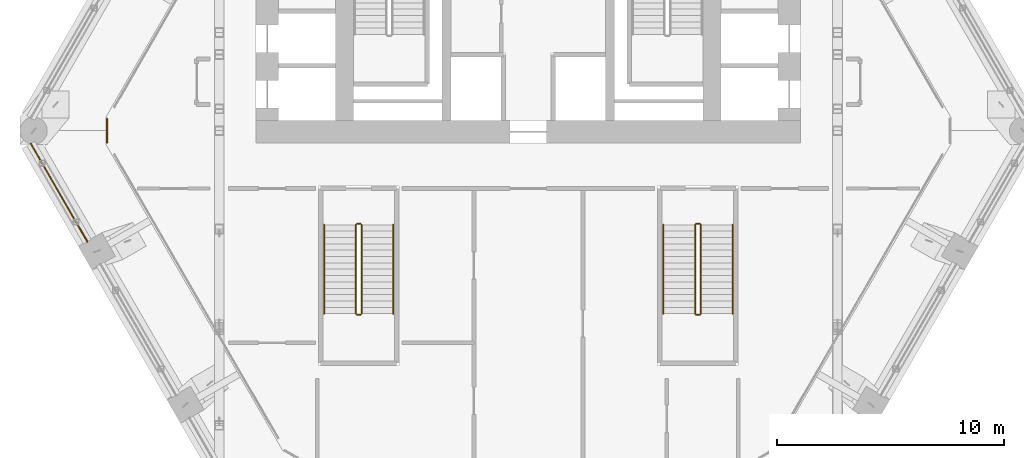
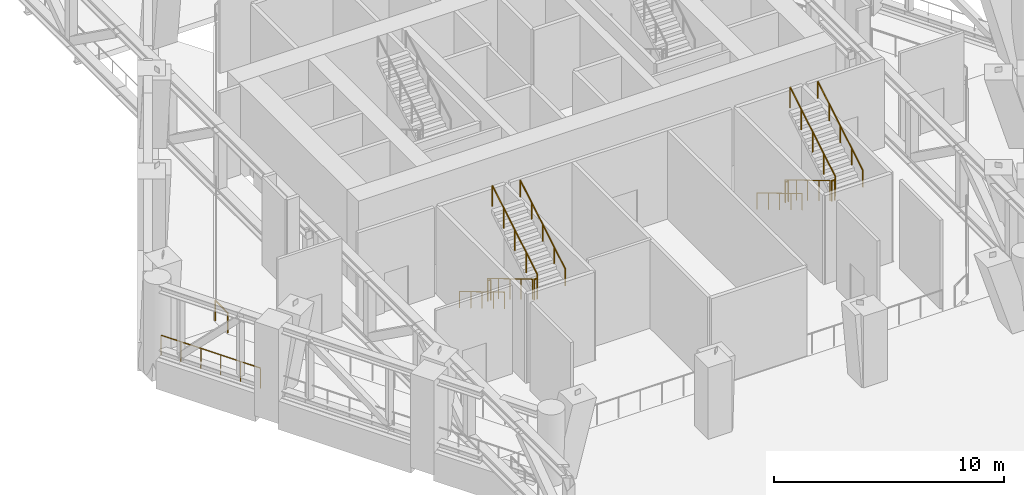
# One storey, part 19 of 22: 14 railings.
"""IFC4 building model written with IfcOpenShell, lengths in metres."""

from ifc_helpers import new_model, si_unit, direction, frame, origin, origin_2d, place, context, subcontext, project, spatial, circle, extrude, material, type_object, element, save


model = new_model("IFC4")

# Units and contexts
model_context = context("Model", 3, precision=1e-05, world=origin(), true_north=direction((0.0, 1.0)))
body_context = subcontext(model_context, "Body", "Model", "MODEL_VIEW")
ifc_project = project(units=[si_unit("LENGTHUNIT", "METRE"), si_unit("AREAUNIT", "SQUARE_METRE"), si_unit("VOLUMEUNIT", "CUBIC_METRE"), si_unit("PLANEANGLEUNIT", "RADIAN"), si_unit("MASSUNIT", "GRAM", prefix="KILO")], contexts=[model_context])

# Site, building, storey
site_placement = place(None, origin())
site = spatial("IfcSite", under=ifc_project, at=site_placement, CompositionType="ELEMENT")
building_placement = place(site_placement, origin())
building = spatial("IfcBuilding", under=site, at=building_placement, Name="Ostrander Bayou Hotel Tower", CompositionType="ELEMENT")
storey_placement = place(building_placement, frame((0.0, 0.0, 146.0)))
storey = spatial("IfcBuildingStorey", under=building, at=storey_placement, Name="L36", CompositionType="ELEMENT", Elevation=146.0)

# Railings
ifc_material_1 = material(Name="Stainless steel and clear glass", Category="steel")
railing_type_1 = type_object("IfcRailingType", Name="GR1 guard 1100 mm", PredefinedType="GUARDRAIL", material=ifc_material_1)
railing_1_placement = place(storey_placement, frame((-21.927734375, -1.72021484375, 0.0)))
element("IfcRailing", 1, at=railing_1_placement, inside=storey, type_object=railing_type_1, Name="GR1 L36 SW-1 open band guard", PredefinedType="GUARDRAIL", context=body_context, shape_type="SweptSolid", body=[
    extrude(circle(Radius=0.02490234375, at=origin_2d()), frame((0.0, 0.0, 1.0751953125), z_axis=(0.500011423449, -0.866018808352, 0.0), x_axis=(0.866018808352, 0.500011423449, 0.0)), (0.0, 0.0, 1.0), 4.99755859375),
    extrude(circle(Radius=0.02001953125, at=origin_2d()), origin(), (0.0, 0.0, 1.0), 1.050048828125),
    extrude(circle(Radius=0.02001953125, at=origin_2d()), frame((0.499755859375, -0.865478515625, 0.0)), (0.0, 0.0, 1.0), 1.050048828125),
    extrude(circle(Radius=0.02001953125, at=origin_2d()), frame((0.99951171875, -1.731201171875, 0.0)), (0.0, 0.0, 1.0), 1.050048828125),
    extrude(circle(Radius=0.02001953125, at=origin_2d()), frame((1.499267578125, -2.5966796875, 0.0)), (0.0, 0.0, 1.0), 1.050048828125),
    extrude(circle(Radius=0.02001953125, at=origin_2d()), frame((1.9990234375, -3.46240234375, 0.0)), (0.0, 0.0, 1.0), 1.050048828125),
    extrude(circle(Radius=0.02001953125, at=origin_2d()), frame((2.498779296875, -4.327880859375, 0.0)), (0.0, 0.0, 1.0), 1.050048828125),
])
railing_2_placement = place(storey_placement, frame((-18.568115234375, -0.6240234375, 0.0)))
element("IfcRailing", 2, at=railing_2_placement, inside=storey, type_object=railing_type_1, Name="GR1 L36 corner guard 2", PredefinedType="GUARDRAIL", context=body_context, shape_type="SweptSolid", body=[
    extrude(circle(Radius=0.02490234375, at=origin_2d()), frame((0.0, 0.0, 1.0751953125), z_axis=(0.0, -1.0, 0.0), x_axis=(1.0, 0.0, 0.0)), (0.0, 0.0, 1.0), 1.06494140625),
    extrude(circle(Radius=0.02001953125, at=origin_2d()), origin(), (0.0, 0.0, 1.0), 1.050048828125),
    extrude(circle(Radius=0.02001953125, at=origin_2d()), frame((0.0, -1.06494140625, 0.0)), (0.0, 0.0, 1.0), 1.050048828125),
])
ifc_material_2 = material(Name="Steel ASTM A500 Gr C", Category="steel")
railing_type_2 = type_object("IfcRailingType", Name="GR1 stair guard 1100 mm steel", PredefinedType="GUARDRAIL", material=ifc_material_2)
railing_3_placement = place(storey_placement, frame((7.35009765625, -5.300048828125, 0.166748046875)))
element("IfcRailing", 3, at=railing_3_placement, inside=storey, type_object=railing_type_2, Name="L36 STC stair guard 1", PredefinedType="GUARDRAIL", context=body_context, shape_type="SweptSolid", body=[
    extrude(circle(Radius=0.02392578125, at=origin_2d()), frame((0.0, 0.0, 1.076171875), z_axis=(0.0, -0.859296244711, 0.511478214419), x_axis=(1.0, 0.0, 0.0)), (0.0, 0.0, 1.0), 4.561767578125),
    extrude(circle(Radius=0.02099609375, at=origin_2d()), origin(), (0.0, 0.0, 1.0), 1.052001953125),
    extrude(circle(Radius=0.02099609375, at=origin_2d()), frame((0.0, -0.97998046875, 0.583251953125)), (0.0, 0.0, 1.0), 1.052001953125),
    extrude(circle(Radius=0.02099609375, at=origin_2d()), frame((0.0, -1.9599609375, 1.16650390625)), (0.0, 0.0, 1.0), 1.052001953125),
    extrude(circle(Radius=0.02099609375, at=origin_2d()), frame((0.0, -2.93994140625, 1.75)), (0.0, 0.0, 1.0), 1.052001953125),
    extrude(circle(Radius=0.02099609375, at=origin_2d()), frame((0.0, -3.919921875, 2.333251953125)), (0.0, 0.0, 1.0), 1.052001953125),
])
railing_4_placement = place(storey_placement, frame((7.39990234375, -9.27001953125, 2.5)))
element("IfcRailing", 4, at=railing_4_placement, inside=storey, type_object=railing_type_2, Name="L36 STC stair guard 2", PredefinedType="GUARDRAIL", context=body_context, shape_type="SweptSolid", body=[
    extrude(circle(Radius=0.02392578125, at=origin_2d()), frame((0.0, 0.0, 1.076171875), z_axis=(1.0, 0.0, 0.0), x_axis=(0.0, 1.0, 0.0)), (0.0, 0.0, 1.0), 0.150146484375),
    extrude(circle(Radius=0.02099609375, at=origin_2d()), origin(), (0.0, 0.0, 1.0), 1.052001953125),
    extrude(circle(Radius=0.02099609375, at=origin_2d()), frame((0.150146484375, 0.0, 0.0)), (0.0, 0.0, 1.0), 1.052001953125),
])
railing_5_placement = place(storey_placement, frame((7.60009765625, -9.219970703125, 2.666748046875)))
element("IfcRailing", 5, at=railing_5_placement, inside=storey, type_object=railing_type_2, Name="L36 STC stair guard 3", PredefinedType="GUARDRAIL", context=body_context, shape_type="SweptSolid", body=[
    extrude(circle(Radius=0.02392578125, at=origin_2d()), frame((0.0, 0.0, 1.076171875), z_axis=(0.0, 0.859296244711, 0.511478214419), x_axis=(-1.0, 0.0, 0.0)), (0.0, 0.0, 1.0), 4.561767578125),
    extrude(circle(Radius=0.02099609375, at=origin_2d()), origin(), (0.0, 0.0, 1.0), 1.052001953125),
    extrude(circle(Radius=0.02099609375, at=origin_2d()), frame((0.0, 0.97998046875, 0.583251953125)), (0.0, 0.0, 1.0), 1.052001953125),
    extrude(circle(Radius=0.02099609375, at=origin_2d()), frame((0.0, 1.9599609375, 1.16650390625)), (0.0, 0.0, 1.0), 1.052001953125),
    extrude(circle(Radius=0.02099609375, at=origin_2d()), frame((0.0, 2.93994140625, 1.75)), (0.0, 0.0, 1.0), 1.052001953125),
    extrude(circle(Radius=0.02099609375, at=origin_2d()), frame((0.0, 3.919921875, 2.333251953125)), (0.0, 0.0, 1.0), 1.052001953125),
])
railing_6_placement = place(storey_placement, frame((7.39990234375, -5.25, 0.0)))
element("IfcRailing", 6, at=railing_6_placement, inside=storey, type_object=railing_type_2, Name="L36 STC stair guard 4", PredefinedType="GUARDRAIL", context=body_context, shape_type="SweptSolid", body=[
    extrude(circle(Radius=0.02392578125, at=origin_2d()), frame((0.0, 0.0, 1.076171875), z_axis=(1.0, 0.0, 0.0), x_axis=(0.0, 1.0, 0.0)), (0.0, 0.0, 1.0), 0.150146484375),
    extrude(circle(Radius=0.02099609375, at=origin_2d()), origin(), (0.0, 0.0, 1.0), 1.052001953125),
    extrude(circle(Radius=0.02099609375, at=origin_2d()), frame((0.150146484375, 0.0, 0.0)), (0.0, 0.0, 1.0), 1.052001953125),
])
railing_7_placement = place(storey_placement, frame((-7.60009765625, -5.300048828125, 0.166748046875)))
element("IfcRailing", 7, at=railing_7_placement, inside=storey, type_object=railing_type_2, Name="L36 STD stair guard 1", PredefinedType="GUARDRAIL", context=body_context, shape_type="SweptSolid", body=[
    extrude(circle(Radius=0.02392578125, at=origin_2d()), frame((0.0, 0.0, 1.076171875), z_axis=(0.0, -0.859296244711, 0.511478214419), x_axis=(1.0, 0.0, 0.0)), (0.0, 0.0, 1.0), 4.561767578125),
    extrude(circle(Radius=0.02099609375, at=origin_2d()), origin(), (0.0, 0.0, 1.0), 1.052001953125),
    extrude(circle(Radius=0.02099609375, at=origin_2d()), frame((0.0, -0.97998046875, 0.583251953125)), (0.0, 0.0, 1.0), 1.052001953125),
    extrude(circle(Radius=0.02099609375, at=origin_2d()), frame((0.0, -1.9599609375, 1.16650390625)), (0.0, 0.0, 1.0), 1.052001953125),
    extrude(circle(Radius=0.02099609375, at=origin_2d()), frame((0.0, -2.93994140625, 1.75)), (0.0, 0.0, 1.0), 1.052001953125),
    extrude(circle(Radius=0.02099609375, at=origin_2d()), frame((0.0, -3.919921875, 2.333251953125)), (0.0, 0.0, 1.0), 1.052001953125),
])
railing_8_placement = place(storey_placement, frame((-7.550048828125, -9.27001953125, 2.5)))
element("IfcRailing", 8, at=railing_8_placement, inside=storey, type_object=railing_type_2, Name="L36 STD stair guard 2", PredefinedType="GUARDRAIL", context=body_context, shape_type="SweptSolid", body=[
    extrude(circle(Radius=0.02392578125, at=origin_2d()), frame((0.0, 0.0, 1.076171875), z_axis=(1.0, 0.0, 0.0), x_axis=(0.0, 1.0, 0.0)), (0.0, 0.0, 1.0), 0.150146484375),
    extrude(circle(Radius=0.02099609375, at=origin_2d()), origin(), (0.0, 0.0, 1.0), 1.052001953125),
    extrude(circle(Radius=0.02099609375, at=origin_2d()), frame((0.150146484375, 0.0, 0.0)), (0.0, 0.0, 1.0), 1.052001953125),
])
railing_9_placement = place(storey_placement, frame((-7.35009765625, -9.219970703125, 2.666748046875)))
element("IfcRailing", 9, at=railing_9_placement, inside=storey, type_object=railing_type_2, Name="L36 STD stair guard 3", PredefinedType="GUARDRAIL", context=body_context, shape_type="SweptSolid", body=[
    extrude(circle(Radius=0.02392578125, at=origin_2d()), frame((0.0, 0.0, 1.076171875), z_axis=(0.0, 0.859296244711, 0.511478214419), x_axis=(-1.0, 0.0, 0.0)), (0.0, 0.0, 1.0), 4.561767578125),
    extrude(circle(Radius=0.02099609375, at=origin_2d()), origin(), (0.0, 0.0, 1.0), 1.052001953125),
    extrude(circle(Radius=0.02099609375, at=origin_2d()), frame((0.0, 0.97998046875, 0.583251953125)), (0.0, 0.0, 1.0), 1.052001953125),
    extrude(circle(Radius=0.02099609375, at=origin_2d()), frame((0.0, 1.9599609375, 1.16650390625)), (0.0, 0.0, 1.0), 1.052001953125),
    extrude(circle(Radius=0.02099609375, at=origin_2d()), frame((0.0, 2.93994140625, 1.75)), (0.0, 0.0, 1.0), 1.052001953125),
    extrude(circle(Radius=0.02099609375, at=origin_2d()), frame((0.0, 3.919921875, 2.333251953125)), (0.0, 0.0, 1.0), 1.052001953125),
])
railing_10_placement = place(storey_placement, frame((-7.550048828125, -5.25, 0.0)))
element("IfcRailing", 10, at=railing_10_placement, inside=storey, type_object=railing_type_2, Name="L36 STD stair guard 4", PredefinedType="GUARDRAIL", context=body_context, shape_type="SweptSolid", body=[
    extrude(circle(Radius=0.02392578125, at=origin_2d()), frame((0.0, 0.0, 1.076171875), z_axis=(1.0, 0.0, 0.0), x_axis=(0.0, 1.0, 0.0)), (0.0, 0.0, 1.0), 0.150146484375),
    extrude(circle(Radius=0.02099609375, at=origin_2d()), origin(), (0.0, 0.0, 1.0), 1.052001953125),
    extrude(circle(Radius=0.02099609375, at=origin_2d()), frame((0.150146484375, 0.0, 0.0)), (0.0, 0.0, 1.0), 1.052001953125),
])
ifc_material_3 = material(Name="Steel ASTM A500 Gr C", Category="steel")
railing_type_3 = type_object("IfcRailingType", Name="HR1 stair handrail 900 mm steel", PredefinedType="HANDRAIL", material=ifc_material_3)
railing_11_placement = place(storey_placement, frame((5.949951171875, -5.300048828125, 0.166748046875)))
element("IfcRailing", 11, at=railing_11_placement, inside=storey, type_object=railing_type_3, Name="L36 STC stair handrail 1", PredefinedType="HANDRAIL", context=body_context, shape_type="SweptSolid", body=[
    extrude(circle(Radius=0.02392578125, at=origin_2d()), frame((0.0, 0.0, 0.8759765625), z_axis=(0.0, -0.859296244711, 0.511478214419), x_axis=(1.0, 0.0, 0.0)), (0.0, 0.0, 1.0), 4.561767578125),
    extrude(circle(Radius=0.02099609375, at=origin_2d()), origin(), (0.0, 0.0, 1.0), 0.851806640625),
    extrude(circle(Radius=0.02099609375, at=origin_2d()), frame((0.0, -0.97998046875, 0.583251953125)), (0.0, 0.0, 1.0), 0.851806640625),
    extrude(circle(Radius=0.02099609375, at=origin_2d()), frame((0.0, -1.9599609375, 1.16650390625)), (0.0, 0.0, 1.0), 0.851806640625),
    extrude(circle(Radius=0.02099609375, at=origin_2d()), frame((0.0, -2.93994140625, 1.75)), (0.0, 0.0, 1.0), 0.851806640625),
    extrude(circle(Radius=0.02099609375, at=origin_2d()), frame((0.0, -3.919921875, 2.333251953125)), (0.0, 0.0, 1.0), 0.851806640625),
])
railing_12_placement = place(storey_placement, frame((9.0, -9.219970703125, 2.666748046875)))
element("IfcRailing", 12, at=railing_12_placement, inside=storey, type_object=railing_type_3, Name="L36 STC stair handrail 2", PredefinedType="HANDRAIL", context=body_context, shape_type="SweptSolid", body=[
    extrude(circle(Radius=0.02392578125, at=origin_2d()), frame((0.0, 0.0, 0.8759765625), z_axis=(0.0, 0.859296244711, 0.511478214419), x_axis=(-1.0, 0.0, 0.0)), (0.0, 0.0, 1.0), 4.561767578125),
    extrude(circle(Radius=0.02099609375, at=origin_2d()), origin(), (0.0, 0.0, 1.0), 0.851806640625),
    extrude(circle(Radius=0.02099609375, at=origin_2d()), frame((0.0, 0.97998046875, 0.583251953125)), (0.0, 0.0, 1.0), 0.851806640625),
    extrude(circle(Radius=0.02099609375, at=origin_2d()), frame((0.0, 1.9599609375, 1.16650390625)), (0.0, 0.0, 1.0), 0.851806640625),
    extrude(circle(Radius=0.02099609375, at=origin_2d()), frame((0.0, 2.93994140625, 1.75)), (0.0, 0.0, 1.0), 0.851806640625),
    extrude(circle(Radius=0.02099609375, at=origin_2d()), frame((0.0, 3.919921875, 2.333251953125)), (0.0, 0.0, 1.0), 0.851806640625),
])
railing_13_placement = place(storey_placement, frame((-9.0, -5.300048828125, 0.166748046875)))
element("IfcRailing", 13, at=railing_13_placement, inside=storey, type_object=railing_type_3, Name="L36 STD stair handrail 1", PredefinedType="HANDRAIL", context=body_context, shape_type="SweptSolid", body=[
    extrude(circle(Radius=0.02392578125, at=origin_2d()), frame((0.0, 0.0, 0.8759765625), z_axis=(0.0, -0.859296244711, 0.511478214419), x_axis=(1.0, 0.0, 0.0)), (0.0, 0.0, 1.0), 4.561767578125),
    extrude(circle(Radius=0.02099609375, at=origin_2d()), origin(), (0.0, 0.0, 1.0), 0.851806640625),
    extrude(circle(Radius=0.02099609375, at=origin_2d()), frame((0.0, -0.97998046875, 0.583251953125)), (0.0, 0.0, 1.0), 0.851806640625),
    extrude(circle(Radius=0.02099609375, at=origin_2d()), frame((0.0, -1.9599609375, 1.16650390625)), (0.0, 0.0, 1.0), 0.851806640625),
    extrude(circle(Radius=0.02099609375, at=origin_2d()), frame((0.0, -2.93994140625, 1.75)), (0.0, 0.0, 1.0), 0.851806640625),
    extrude(circle(Radius=0.02099609375, at=origin_2d()), frame((0.0, -3.919921875, 2.333251953125)), (0.0, 0.0, 1.0), 0.851806640625),
])
railing_14_placement = place(storey_placement, frame((-5.949951171875, -9.219970703125, 2.666748046875)))
element("IfcRailing", 14, at=railing_14_placement, inside=storey, type_object=railing_type_3, Name="L36 STD stair handrail 2", PredefinedType="HANDRAIL", context=body_context, shape_type="SweptSolid", body=[
    extrude(circle(Radius=0.02392578125, at=origin_2d()), frame((0.0, 0.0, 0.8759765625), z_axis=(0.0, 0.859296244711, 0.511478214419), x_axis=(-1.0, 0.0, 0.0)), (0.0, 0.0, 1.0), 4.561767578125),
    extrude(circle(Radius=0.02099609375, at=origin_2d()), origin(), (0.0, 0.0, 1.0), 0.851806640625),
    extrude(circle(Radius=0.02099609375, at=origin_2d()), frame((0.0, 0.97998046875, 0.583251953125)), (0.0, 0.0, 1.0), 0.851806640625),
    extrude(circle(Radius=0.02099609375, at=origin_2d()), frame((0.0, 1.9599609375, 1.16650390625)), (0.0, 0.0, 1.0), 0.851806640625),
    extrude(circle(Radius=0.02099609375, at=origin_2d()), frame((0.0, 2.93994140625, 1.75)), (0.0, 0.0, 1.0), 0.851806640625),
    extrude(circle(Radius=0.02099609375, at=origin_2d()), frame((0.0, 3.919921875, 2.333251953125)), (0.0, 0.0, 1.0), 0.851806640625),
])

save(model, "model.ifc")
